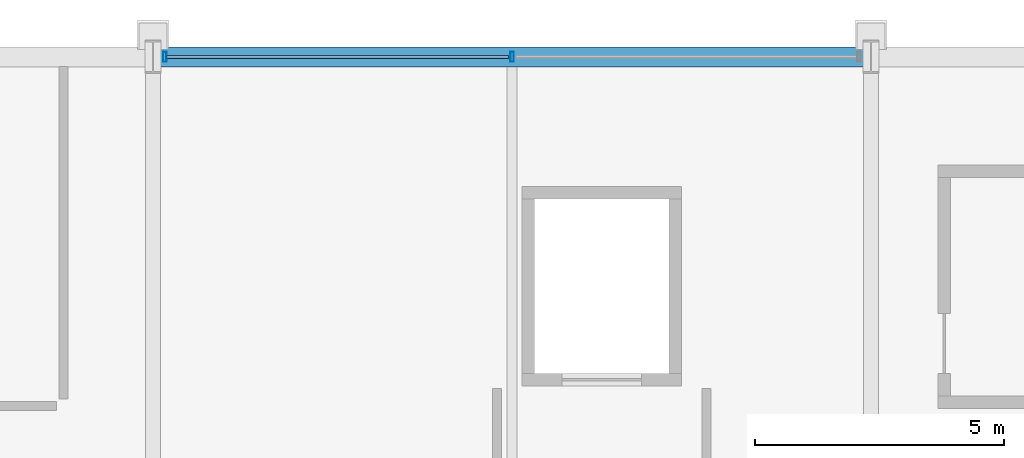
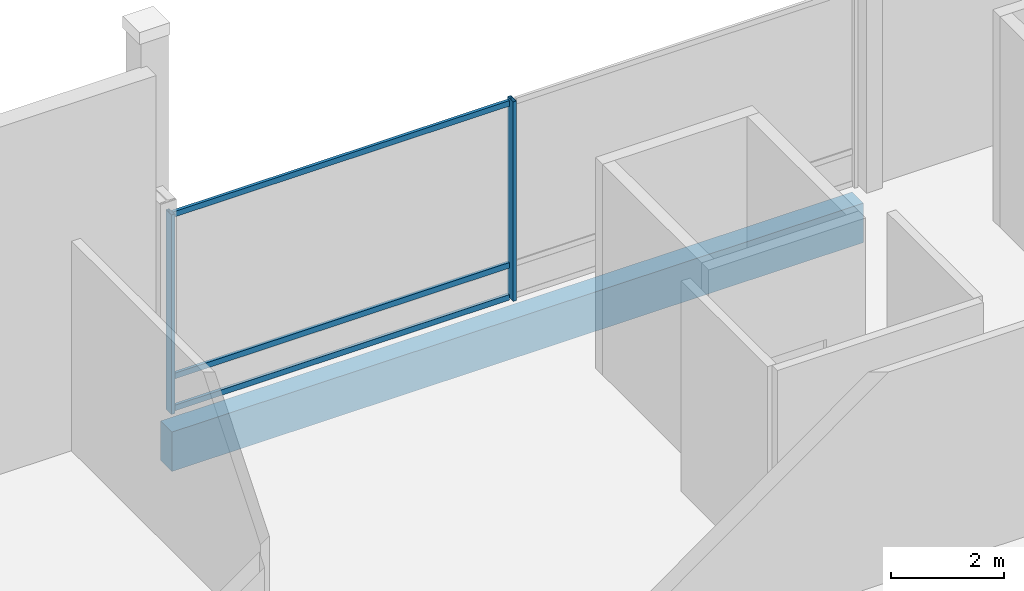
# One storey, part 108 of 193: 5 members, 1 beam, 1 element without a shape of its own.
"""IFC4 building model written with IfcOpenShell, lengths in metres."""

from ifc_helpers import new_model, si_unit, direction, frame, origin, origin_2d, place, context, subcontext, project, spatial, rectangle, hollow_rectangle, extrude, material, material_profile, profile_set, type_object, element, aggregate, save


model = new_model("IFC4")

# Units and contexts
model_context = context("Model", 3, precision=1e-05, world=origin(), true_north=direction((0.0, 1.0)))
body_context = subcontext(model_context, "Body", "Model", "MODEL_VIEW")
ifc_project = project(units=[si_unit("LENGTHUNIT", "METRE"), si_unit("AREAUNIT", "SQUARE_METRE"), si_unit("VOLUMEUNIT", "CUBIC_METRE"), si_unit("PLANEANGLEUNIT", "RADIAN"), si_unit("MASSUNIT", "GRAM", prefix="KILO")], contexts=[model_context])

# Site, building, storey
site_placement = place(None, origin())
site = spatial("IfcSite", under=ifc_project, at=site_placement, CompositionType="ELEMENT")
building_placement = place(site_placement, origin())
building = spatial("IfcBuilding", under=site, at=building_placement, Name="Cendralis Lancet Convention Centre", CompositionType="ELEMENT")
storey_placement = place(building_placement, frame((0.0, 0.0, 10.199951171875)))
storey = spatial("IfcBuildingStorey", under=building, at=storey_placement, Name="L02", CompositionType="ELEMENT", Elevation=10.199951171875)

# Curtain wall, members
ifc_material_1 = material(Name="Anodised bronze architectural aluminium", Category="aluminium")
curtain_wall_type = type_object("IfcCurtainWallType", Name="ARC-CW-BL02", PredefinedType="USERDEFINED", material=ifc_material_1)
curtain_wall_placement = place(storey_placement, origin())
curtain_wall = element("IfcCurtainWall", 1, at=curtain_wall_placement, inside=storey, type_object=curtain_wall_type, Name="L02 Curtain Wall CW-BL2 #156", ObjectType="CURTAIN WALL", PredefinedType="USERDEFINED")
ifc_material_profile_1 = material_profile(ifc_material_1, hollow_rectangle(XDim=0.070068359375, YDim=0.199951171875, WallThickness=0.0048828125, at=origin_2d()), Name="AL-MULL 70x200x5.0")
ifc_profile_set_1 = profile_set([ifc_material_profile_1], Name="Anodised bronze architectural aluminium")
member_type_1 = type_object("IfcMemberType", Name="ARC-CW-ML02", PredefinedType="MULLION", material=ifc_profile_set_1)
member_1_placement = place(storey_placement, frame((182.635009765625, 136.800048828125, 0.0), z_axis=(0.0, 0.0, 1.0), x_axis=(1.0, 0.0, 0.0)))
member_1 = element("IfcMember", 2, at=member_1_placement, type_object=member_type_1, Name="Mullion CW2-CW-BL2-L02-156-M0", PredefinedType="MULLION", context=body_context, shape_type="SweptSolid", body=[
    extrude(hollow_rectangle(XDim=0.070068359375, YDim=0.199951171875, WallThickness=0.0048828125, at=origin_2d()), origin(), (0.0, 0.0, 1.0), 4.300048828125),
])
member_2_placement = place(storey_placement, frame((189.60009765625, 136.800048828125, 0.0), z_axis=(0.0, 0.0, 1.0), x_axis=(1.0, 0.0, 0.0)))
member_2 = element("IfcMember", 3, at=member_2_placement, type_object=member_type_1, Name="Mullion CW2-CW-BL2-L02-156-M1", PredefinedType="MULLION", context=body_context, shape_type="SweptSolid", body=[
    extrude(hollow_rectangle(XDim=0.070068359375, YDim=0.199951171875, WallThickness=0.0048828125, at=origin_2d()), origin(), (0.0, 0.0, 1.0), 4.300048828125),
])
ifc_material_profile_2 = material_profile(ifc_material_1, hollow_rectangle(XDim=0.06005859375, YDim=0.1201171875, WallThickness=0.00390625, at=origin_2d()), Name="AL-TRAN 60x120x4.0")
ifc_profile_set_2 = profile_set([ifc_material_profile_2], Name="Anodised bronze architectural aluminium")
member_type_2 = type_object("IfcMemberType", Name="ARC-CW-TR01", PredefinedType="USERDEFINED", material=ifc_profile_set_2)
member_3_placement = place(storey_placement, frame((182.669921875, 136.800048828125, 0.06005859375), z_axis=(1.0, 0.0, 0.0), x_axis=(0.0, 1.0, 0.0)))
member_3 = element("IfcMember", 4, at=member_3_placement, type_object=member_type_2, Name="Transom CW2-CW-BL2-L02-156-T0BOT", ObjectType="TRANSOM", PredefinedType="USERDEFINED", context=body_context, shape_type="SweptSolid", body=[
    extrude(hollow_rectangle(XDim=0.06005859375, YDim=0.1201171875, WallThickness=0.00390625, at=origin_2d()), origin(), (0.0, 0.0, 1.0), 6.860107421875),
])
member_4_placement = place(storey_placement, frame((182.669921875, 136.800048828125, 0.75), z_axis=(1.0, 0.0, 0.0), x_axis=(0.0, 1.0, 0.0)))
member_4 = element("IfcMember", 5, at=member_4_placement, type_object=member_type_2, Name="Transom CW2-CW-BL2-L02-156-T0MID", ObjectType="TRANSOM", PredefinedType="USERDEFINED", context=body_context, shape_type="SweptSolid", body=[
    extrude(hollow_rectangle(XDim=0.06005859375, YDim=0.1201171875, WallThickness=0.00390625, at=origin_2d()), origin(), (0.0, 0.0, 1.0), 6.860107421875),
])
member_5_placement = place(storey_placement, frame((182.669921875, 136.800048828125, 4.239990234375), z_axis=(1.0, 0.0, 0.0), x_axis=(0.0, 1.0, 0.0)))
member_5 = element("IfcMember", 6, at=member_5_placement, type_object=member_type_2, Name="Transom CW2-CW-BL2-L02-156-T0TOP", ObjectType="TRANSOM", PredefinedType="USERDEFINED", context=body_context, shape_type="SweptSolid", body=[
    extrude(hollow_rectangle(XDim=0.06005859375, YDim=0.1201171875, WallThickness=0.00390625, at=origin_2d()), origin(), (0.0, 0.0, 1.0), 6.860107421875),
])
aggregate(curtain_wall, [member_1, member_2, member_3, member_4, member_5])

# Beam
ifc_material_2 = material(Name="Concrete G40 (C40/50)", Category="concrete")
ifc_material_profile_3 = material_profile(ifc_material_2, rectangle(XDim=0.39990234375, YDim=0.85009765625, at=origin_2d()), Name="RCB 400x850")
ifc_profile_set_3 = profile_set([ifc_material_profile_3], Name="Concrete G40 (C40/50)")
beam_type = type_object("IfcBeamType", Name="STR-SP-SP02", PredefinedType="SPANDREL", material=ifc_profile_set_3)
beam_placement = place(storey_placement, frame((182.550048828125, 136.800048828125, -0.724853515625), z_axis=(1.0, 0.0, 0.0), x_axis=(0.0, 1.0, 0.0)))
element("IfcBeam", 7, at=beam_placement, inside=storey, type_object=beam_type, Name="L02 Beam SP02 #1719", PredefinedType="SPANDREL", context=body_context, shape_type="SweptSolid", body=[
    extrude(rectangle(XDim=0.39990234375, YDim=0.85009765625, at=origin_2d()), origin(), (0.0, 0.0, 1.0), 14.099853515625),
])

save(model, "model.ifc")
